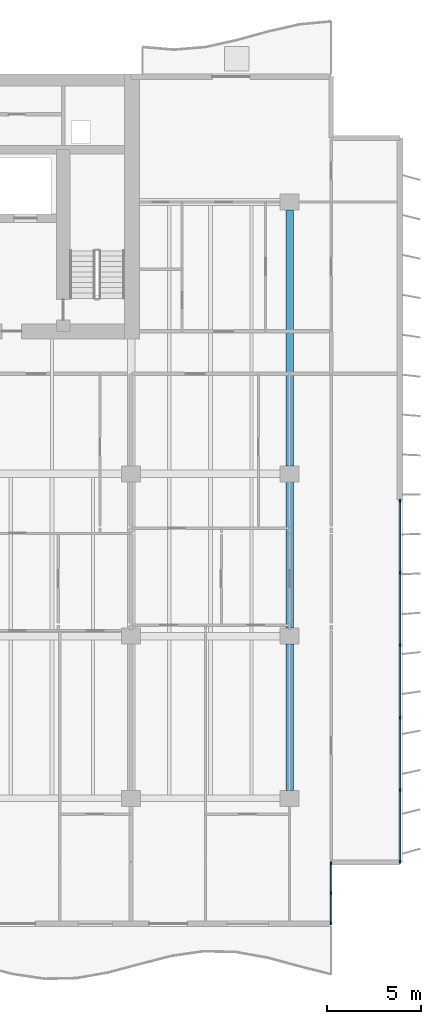
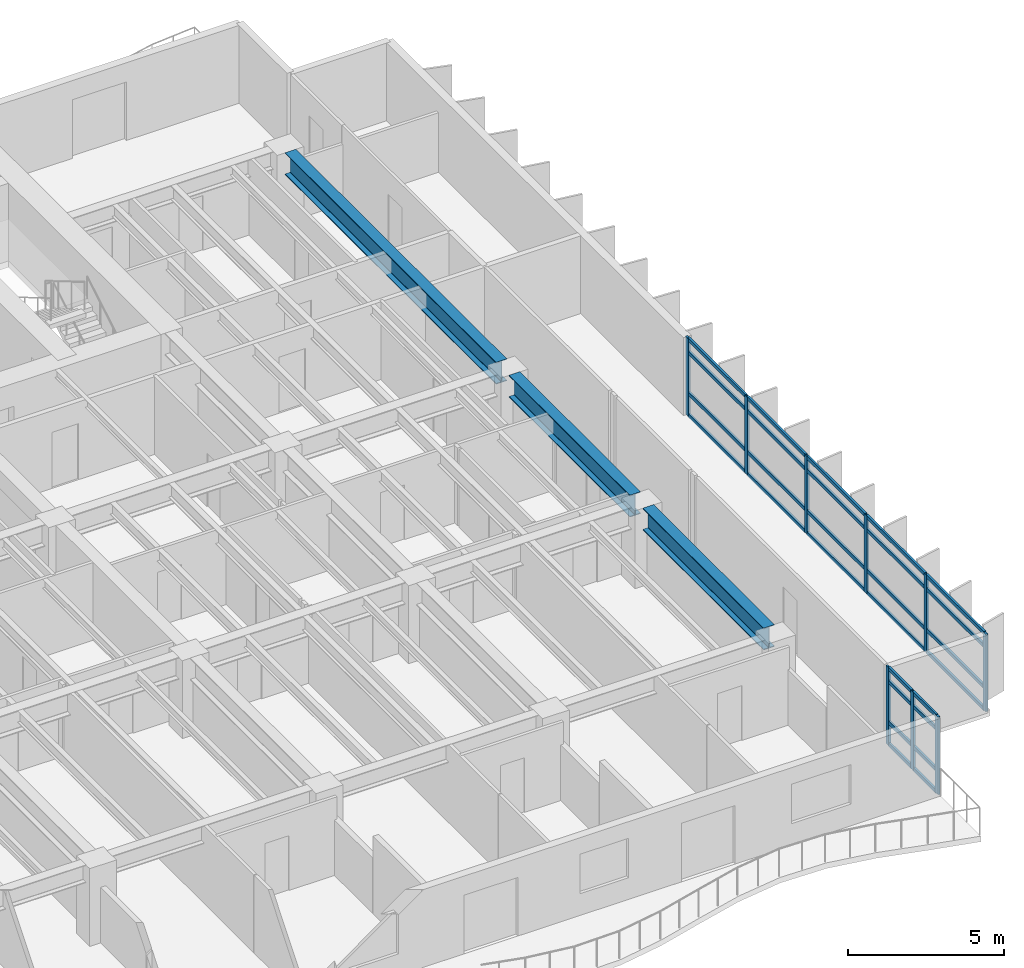
# One storey, part 4 of 18: 37 members, 3 beams, 2 elements without a shape of their own.
"""IFC4 building model written with IfcOpenShell, lengths in metres."""

from ifc_helpers import new_model, si_unit, direction, frame, origin, origin_2d, place, context, subcontext, project, spatial, rectangle, i_section, extrude, material, layer, layer_set, material_profile, profile_set, type_object, element, aggregate, save


model = new_model("IFC4")

# Units and contexts
model_context = context("Model", 3, precision=1e-05, world=origin(), true_north=direction((0.0, 1.0)))
body_context = subcontext(model_context, "Body", "Model", "MODEL_VIEW")
ifc_project = project(units=[si_unit("LENGTHUNIT", "METRE"), si_unit("AREAUNIT", "SQUARE_METRE"), si_unit("VOLUMEUNIT", "CUBIC_METRE"), si_unit("PLANEANGLEUNIT", "RADIAN"), si_unit("MASSUNIT", "GRAM", prefix="KILO")], contexts=[model_context])

# Site, building, storey
site_placement = place(None, origin())
site = spatial("IfcSite", under=ifc_project, at=site_placement, CompositionType="ELEMENT")
building_placement = place(site_placement, origin())
building = spatial("IfcBuilding", under=site, at=building_placement, Name="Caelmar Bay Residences", CompositionType="ELEMENT")
storey_placement = place(building_placement, frame((0.0, 0.0, 122.39990234375)))
storey = spatial("IfcBuildingStorey", under=building, at=storey_placement, Name="L33", CompositionType="ELEMENT", Elevation=122.39990234375)

# Beams
ifc_material_1 = material(Name="Steel ASTM A992 Grade 50", Category="steel")
ifc_material_profile_1 = material_profile(ifc_material_1, i_section(OverallWidth=0.40087890625, OverallDepth=0.861083984375, WebThickness=0.019775390625, FlangeThickness=0.032470703125, FilletRadius=0.017822265625, at=origin_2d()), Name="W33X221")
ifc_profile_set_1 = profile_set([ifc_material_profile_1], Name="Steel ASTM A992 Grade 50")
beam_type = type_object("IfcBeamType", Name="BM-GRD-W33X221", PredefinedType="BEAM", material=ifc_profile_set_1)
for number, where, z_axis, x_axis, name in (
    (1, (67.89990234375, 12.614990234375, 2.61962890625), (0.0, 1.0, 0.0), (-1.0, 0.0, 0.0), "L33 North-South Girder X=67.90 (12.2-20.8)"),
    (2, (67.89990234375, 21.215087890625, 2.61962890625), (0.0, 1.0, 0.0), (-1.0, 0.0, 0.0), "L33 North-South Girder X=67.90 (20.8-29.4)"),
):
    element("IfcBeam", number, at=place(storey_placement, frame(where, z_axis=z_axis, x_axis=x_axis)), inside=storey, type_object=beam_type, Name=name, PredefinedType="BEAM", context=body_context, shape_type="SweptSolid", body=[
        extrude(i_section(OverallWidth=0.40087890625, OverallDepth=0.861083984375, WebThickness=0.019775390625, FlangeThickness=0.032470703125, FilletRadius=0.017822265625, at=origin_2d()), origin(), (0.0, 0.0, 1.0), 7.77001953125),
    ])
beam_placement = place(storey_placement, frame((67.89990234375, 29.81494140625, 2.61962890625), z_axis=(0.0, 1.0, 0.0), x_axis=(-1.0, 0.0, 0.0)))
element("IfcBeam", 3, at=beam_placement, inside=storey, type_object=beam_type, Name="L33 North-South Girder X=67.90 (29.4-43.8)", PredefinedType="BEAM", context=body_context, shape_type="SweptSolid", body=[
    extrude(i_section(OverallWidth=0.40087890625, OverallDepth=0.861083984375, WebThickness=0.019775390625, FlangeThickness=0.032470703125, FilletRadius=0.017822265625, at=origin_2d()), origin(), (0.0, 0.0, 1.0), 13.570068359375),
])

# Curtain wall, members
ifc_material_2 = material(Name="Anodised bronze aluminium 6063-T6 and laminated glass", Category="aluminium")
ifc_layer_1 = layer(ifc_material_2, 0.179931640625)
ifc_layer_set_1 = layer_set([ifc_layer_1], Name="Anodised bronze aluminium 6063-T6 and laminated glass")
curtain_wall_type_1 = type_object("IfcCurtainWallType", Name="CW6-NTC", PredefinedType="NOTDEFINED", material=ifc_layer_set_1)
curtain_wall_1_placement = place(storey_placement, origin())
curtain_wall_1 = element("IfcCurtainWall", 4, at=curtain_wall_1_placement, inside=storey, type_object=curtain_wall_type_1, Name="CW6 curtain wall L33", PredefinedType="NOTDEFINED")
ifc_material_3 = material(Name="Anodised bronze aluminium 6063-T6", Category="aluminium")
ifc_material_profile_2 = material_profile(ifc_material_3, rectangle(XDim=0.080078125, YDim=0.179931640625, at=origin_2d()), Name="CWM-80X180")
ifc_profile_set_2 = profile_set([ifc_material_profile_2], Name="Anodised bronze aluminium 6063-T6")
member_type_1 = type_object("IfcMemberType", Name="CWM-180", PredefinedType="MULLION", material=ifc_profile_set_2)
member_1_placement = place(storey_placement, frame((70.10009765625, 5.590087890625, 0.0), z_axis=(0.0, 0.0, 1.0), x_axis=(-1.0, 0.0, 0.0)))
member_1 = element("IfcMember", 5, at=member_1_placement, type_object=member_type_1, Name="CW6 mullion 1", PredefinedType="MULLION", context=body_context, shape_type="SweptSolid", body=[
    extrude(rectangle(XDim=0.080078125, YDim=0.179931640625, at=origin_2d()), origin(), (0.0, 0.0, 1.0), 3.050048828125),
])
member_2_placement = place(storey_placement, frame((70.10009765625, 7.175048828125, 0.0), z_axis=(0.0, 0.0, 1.0), x_axis=(-1.0, 0.0, 0.0)))
member_2 = element("IfcMember", 6, at=member_2_placement, type_object=member_type_1, Name="CW6 mullion 2", PredefinedType="MULLION", context=body_context, shape_type="SweptSolid", body=[
    extrude(rectangle(XDim=0.080078125, YDim=0.179931640625, at=origin_2d()), origin(), (0.0, 0.0, 1.0), 3.050048828125),
])
member_3_placement = place(storey_placement, frame((70.10009765625, 8.760009765625, 0.0), z_axis=(0.0, 0.0, 1.0), x_axis=(-1.0, 0.0, 0.0)))
member_3 = element("IfcMember", 7, at=member_3_placement, type_object=member_type_1, Name="CW6 mullion 3", PredefinedType="MULLION", context=body_context, shape_type="SweptSolid", body=[
    extrude(rectangle(XDim=0.080078125, YDim=0.179931640625, at=origin_2d()), origin(), (0.0, 0.0, 1.0), 3.050048828125),
])

ifc_layer_2 = layer(ifc_material_2, 0.179931640625)
ifc_layer_set_2 = layer_set([ifc_layer_2], Name="Anodised bronze aluminium 6063-T6 and laminated glass")
curtain_wall_type_2 = type_object("IfcCurtainWallType", Name="CW3-Z2", PredefinedType="NOTDEFINED", material=ifc_layer_set_2)
curtain_wall_2_placement = place(storey_placement, origin())
curtain_wall_2 = element("IfcCurtainWall", 8, at=curtain_wall_2_placement, inside=storey, type_object=curtain_wall_type_2, Name="CW3 curtain wall L33", PredefinedType="NOTDEFINED")
member_4_placement = place(storey_placement, frame((73.75, 27.9599609375, 0.0), z_axis=(0.0, 0.0, 1.0), x_axis=(1.0, 0.0, 0.0)))
member_4 = element("IfcMember", 9, at=member_4_placement, type_object=member_type_1, Name="CW3 mullion 1", PredefinedType="MULLION", context=body_context, shape_type="SweptSolid", body=[
    extrude(rectangle(XDim=0.080078125, YDim=0.179931640625, at=origin_2d()), origin(), (0.0, 0.0, 1.0), 3.050048828125),
])
member_5_placement = place(storey_placement, frame((73.75, 24.159912109375, 0.0), z_axis=(0.0, 0.0, 1.0), x_axis=(1.0, 0.0, 0.0)))
member_5 = element("IfcMember", 10, at=member_5_placement, type_object=member_type_1, Name="CW3 mullion 2", PredefinedType="MULLION", context=body_context, shape_type="SweptSolid", body=[
    extrude(rectangle(XDim=0.080078125, YDim=0.179931640625, at=origin_2d()), origin(), (0.0, 0.0, 1.0), 3.050048828125),
])
member_6_placement = place(storey_placement, frame((73.75, 20.320068359375, 0.0), z_axis=(0.0, 0.0, 1.0), x_axis=(1.0, 0.0, 0.0)))
member_6 = element("IfcMember", 11, at=member_6_placement, type_object=member_type_1, Name="CW3 mullion 3", PredefinedType="MULLION", context=body_context, shape_type="SweptSolid", body=[
    extrude(rectangle(XDim=0.080078125, YDim=0.179931640625, at=origin_2d()), origin(), (0.0, 0.0, 1.0), 3.050048828125),
])
member_7_placement = place(storey_placement, frame((73.75, 16.47998046875, 0.0), z_axis=(0.0, 0.0, 1.0), x_axis=(1.0, 0.0, 0.0)))
member_7 = element("IfcMember", 12, at=member_7_placement, type_object=member_type_1, Name="CW3 mullion 4", PredefinedType="MULLION", context=body_context, shape_type="SweptSolid", body=[
    extrude(rectangle(XDim=0.080078125, YDim=0.179931640625, at=origin_2d()), origin(), (0.0, 0.0, 1.0), 3.050048828125),
])
member_8_placement = place(storey_placement, frame((73.75, 12.639892578125, 0.0), z_axis=(0.0, 0.0, 1.0), x_axis=(1.0, 0.0, 0.0)))
member_8 = element("IfcMember", 13, at=member_8_placement, type_object=member_type_1, Name="CW3 mullion 5", PredefinedType="MULLION", context=body_context, shape_type="SweptSolid", body=[
    extrude(rectangle(XDim=0.080078125, YDim=0.179931640625, at=origin_2d()), origin(), (0.0, 0.0, 1.0), 3.050048828125),
])
member_9_placement = place(storey_placement, frame((73.75, 8.840087890625, 0.0), z_axis=(0.0, 0.0, 1.0), x_axis=(1.0, 0.0, 0.0)))
member_9 = element("IfcMember", 14, at=member_9_placement, type_object=member_type_1, Name="CW3 mullion 6", PredefinedType="MULLION", context=body_context, shape_type="SweptSolid", body=[
    extrude(rectangle(XDim=0.080078125, YDim=0.179931640625, at=origin_2d()), origin(), (0.0, 0.0, 1.0), 3.050048828125),
])

# Member
ifc_material_profile_3 = material_profile(ifc_material_3, rectangle(XDim=0.080078125, YDim=0.139892578125, at=origin_2d()), Name="CWT-80X140")
ifc_profile_set_3 = profile_set([ifc_material_profile_3], Name="Anodised bronze aluminium 6063-T6")
member_type_2 = type_object("IfcMemberType", Name="CWT-140", PredefinedType="NOTDEFINED", material=ifc_profile_set_3)
member_10_placement = place(storey_placement, frame((70.10009765625, 5.6298828125, 0.0400390625), z_axis=(0.0, 1.0, 0.0), x_axis=(-1.0, 0.0, 0.0)))
member_10 = element("IfcMember", 15, at=member_10_placement, type_object=member_type_2, Name="CW6 transom 1.1", ObjectType="TRANSOM", PredefinedType="USERDEFINED", context=body_context, shape_type="SweptSolid", body=[
    extrude(rectangle(XDim=0.080078125, YDim=0.139892578125, at=origin_2d()), origin(), (0.0, 0.0, 1.0), 1.505126953125),
])

member_11_placement = place(storey_placement, frame((70.10009765625, 5.6298828125, 0.900146484375), z_axis=(0.0, 1.0, 0.0), x_axis=(-1.0, 0.0, 0.0)))
member_11 = element("IfcMember", 16, at=member_11_placement, type_object=member_type_2, Name="CW6 transom 1.2", ObjectType="TRANSOM", PredefinedType="USERDEFINED", context=body_context, shape_type="SweptSolid", body=[
    extrude(rectangle(XDim=0.080078125, YDim=0.139892578125, at=origin_2d()), origin(), (0.0, 0.0, 1.0), 1.505126953125),
])

member_12_placement = place(storey_placement, frame((70.10009765625, 5.6298828125, 2.5), z_axis=(0.0, 1.0, 0.0), x_axis=(-1.0, 0.0, 0.0)))
member_12 = element("IfcMember", 17, at=member_12_placement, type_object=member_type_2, Name="CW6 transom 1.3", ObjectType="TRANSOM", PredefinedType="USERDEFINED", context=body_context, shape_type="SweptSolid", body=[
    extrude(rectangle(XDim=0.080078125, YDim=0.139892578125, at=origin_2d()), origin(), (0.0, 0.0, 1.0), 1.505126953125),
])

member_13_placement = place(storey_placement, frame((70.10009765625, 5.6298828125, 3.010009765625), z_axis=(0.0, 1.0, 0.0), x_axis=(-1.0, 0.0, 0.0)))
member_13 = element("IfcMember", 18, at=member_13_placement, type_object=member_type_2, Name="CW6 transom 1.4", ObjectType="TRANSOM", PredefinedType="USERDEFINED", context=body_context, shape_type="SweptSolid", body=[
    extrude(rectangle(XDim=0.080078125, YDim=0.139892578125, at=origin_2d()), origin(), (0.0, 0.0, 1.0), 1.505126953125),
])

member_14_placement = place(storey_placement, frame((70.10009765625, 7.215087890625, 0.0400390625), z_axis=(0.0, 1.0, 0.0), x_axis=(-1.0, 0.0, 0.0)))
member_14 = element("IfcMember", 19, at=member_14_placement, type_object=member_type_2, Name="CW6 transom 2.1", ObjectType="TRANSOM", PredefinedType="USERDEFINED", context=body_context, shape_type="SweptSolid", body=[
    extrude(rectangle(XDim=0.080078125, YDim=0.139892578125, at=origin_2d()), origin(), (0.0, 0.0, 1.0), 1.5048828125),
])

member_15_placement = place(storey_placement, frame((70.10009765625, 7.215087890625, 0.900146484375), z_axis=(0.0, 1.0, 0.0), x_axis=(-1.0, 0.0, 0.0)))
member_15 = element("IfcMember", 20, at=member_15_placement, type_object=member_type_2, Name="CW6 transom 2.2", ObjectType="TRANSOM", PredefinedType="USERDEFINED", context=body_context, shape_type="SweptSolid", body=[
    extrude(rectangle(XDim=0.080078125, YDim=0.139892578125, at=origin_2d()), origin(), (0.0, 0.0, 1.0), 1.5048828125),
])

member_16_placement = place(storey_placement, frame((70.10009765625, 7.215087890625, 2.5), z_axis=(0.0, 1.0, 0.0), x_axis=(-1.0, 0.0, 0.0)))
member_16 = element("IfcMember", 21, at=member_16_placement, type_object=member_type_2, Name="CW6 transom 2.3", ObjectType="TRANSOM", PredefinedType="USERDEFINED", context=body_context, shape_type="SweptSolid", body=[
    extrude(rectangle(XDim=0.080078125, YDim=0.139892578125, at=origin_2d()), origin(), (0.0, 0.0, 1.0), 1.5048828125),
])

member_17_placement = place(storey_placement, frame((70.10009765625, 7.215087890625, 3.010009765625), z_axis=(0.0, 1.0, 0.0), x_axis=(-1.0, 0.0, 0.0)))
member_17 = element("IfcMember", 22, at=member_17_placement, type_object=member_type_2, Name="CW6 transom 2.4", ObjectType="TRANSOM", PredefinedType="USERDEFINED", context=body_context, shape_type="SweptSolid", body=[
    extrude(rectangle(XDim=0.080078125, YDim=0.139892578125, at=origin_2d()), origin(), (0.0, 0.0, 1.0), 1.5048828125),
])

aggregate(curtain_wall_1, [member_1, member_2, member_3, member_10, member_11, member_12, member_13, member_14, member_15, member_16, member_17])

member_18_placement = place(storey_placement, frame((73.75, 27.919921875, 0.0400390625), z_axis=(0.0, -1.0, 0.0), x_axis=(1.0, 0.0, 0.0)))
member_18 = element("IfcMember", 23, at=member_18_placement, type_object=member_type_2, Name="CW3 transom 1.1", ObjectType="TRANSOM", PredefinedType="USERDEFINED", context=body_context, shape_type="SweptSolid", body=[
    extrude(rectangle(XDim=0.080078125, YDim=0.139892578125, at=origin_2d()), origin(), (0.0, 0.0, 1.0), 3.719970703125),
])

member_19_placement = place(storey_placement, frame((73.75, 27.919921875, 0.900146484375), z_axis=(0.0, -1.0, 0.0), x_axis=(1.0, 0.0, 0.0)))
member_19 = element("IfcMember", 24, at=member_19_placement, type_object=member_type_2, Name="CW3 transom 1.2", ObjectType="TRANSOM", PredefinedType="USERDEFINED", context=body_context, shape_type="SweptSolid", body=[
    extrude(rectangle(XDim=0.080078125, YDim=0.139892578125, at=origin_2d()), origin(), (0.0, 0.0, 1.0), 3.719970703125),
])

member_20_placement = place(storey_placement, frame((73.75, 27.919921875, 2.5), z_axis=(0.0, -1.0, 0.0), x_axis=(1.0, 0.0, 0.0)))
member_20 = element("IfcMember", 25, at=member_20_placement, type_object=member_type_2, Name="CW3 transom 1.3", ObjectType="TRANSOM", PredefinedType="USERDEFINED", context=body_context, shape_type="SweptSolid", body=[
    extrude(rectangle(XDim=0.080078125, YDim=0.139892578125, at=origin_2d()), origin(), (0.0, 0.0, 1.0), 3.719970703125),
])

member_21_placement = place(storey_placement, frame((73.75, 27.919921875, 3.010009765625), z_axis=(0.0, -1.0, 0.0), x_axis=(1.0, 0.0, 0.0)))
member_21 = element("IfcMember", 26, at=member_21_placement, type_object=member_type_2, Name="CW3 transom 1.4", ObjectType="TRANSOM", PredefinedType="USERDEFINED", context=body_context, shape_type="SweptSolid", body=[
    extrude(rectangle(XDim=0.080078125, YDim=0.139892578125, at=origin_2d()), origin(), (0.0, 0.0, 1.0), 3.719970703125),
])

member_22_placement = place(storey_placement, frame((73.75, 24.1201171875, 0.0400390625), z_axis=(0.0, -1.0, 0.0), x_axis=(1.0, 0.0, 0.0)))
member_22 = element("IfcMember", 27, at=member_22_placement, type_object=member_type_2, Name="CW3 transom 2.1", ObjectType="TRANSOM", PredefinedType="USERDEFINED", context=body_context, shape_type="SweptSolid", body=[
    extrude(rectangle(XDim=0.080078125, YDim=0.139892578125, at=origin_2d()), origin(), (0.0, 0.0, 1.0), 3.760009765625),
])

member_23_placement = place(storey_placement, frame((73.75, 24.1201171875, 0.900146484375), z_axis=(0.0, -1.0, 0.0), x_axis=(1.0, 0.0, 0.0)))
member_23 = element("IfcMember", 28, at=member_23_placement, type_object=member_type_2, Name="CW3 transom 2.2", ObjectType="TRANSOM", PredefinedType="USERDEFINED", context=body_context, shape_type="SweptSolid", body=[
    extrude(rectangle(XDim=0.080078125, YDim=0.139892578125, at=origin_2d()), origin(), (0.0, 0.0, 1.0), 3.760009765625),
])

member_24_placement = place(storey_placement, frame((73.75, 24.1201171875, 2.5), z_axis=(0.0, -1.0, 0.0), x_axis=(1.0, 0.0, 0.0)))
member_24 = element("IfcMember", 29, at=member_24_placement, type_object=member_type_2, Name="CW3 transom 2.3", ObjectType="TRANSOM", PredefinedType="USERDEFINED", context=body_context, shape_type="SweptSolid", body=[
    extrude(rectangle(XDim=0.080078125, YDim=0.139892578125, at=origin_2d()), origin(), (0.0, 0.0, 1.0), 3.760009765625),
])

member_25_placement = place(storey_placement, frame((73.75, 24.1201171875, 3.010009765625), z_axis=(0.0, -1.0, 0.0), x_axis=(1.0, 0.0, 0.0)))
member_25 = element("IfcMember", 30, at=member_25_placement, type_object=member_type_2, Name="CW3 transom 2.4", ObjectType="TRANSOM", PredefinedType="USERDEFINED", context=body_context, shape_type="SweptSolid", body=[
    extrude(rectangle(XDim=0.080078125, YDim=0.139892578125, at=origin_2d()), origin(), (0.0, 0.0, 1.0), 3.760009765625),
])

member_26_placement = place(storey_placement, frame((73.75, 20.280029296875, 0.0400390625), z_axis=(0.0, -1.0, 0.0), x_axis=(1.0, 0.0, 0.0)))
member_26 = element("IfcMember", 31, at=member_26_placement, type_object=member_type_2, Name="CW3 transom 3.1", ObjectType="TRANSOM", PredefinedType="USERDEFINED", context=body_context, shape_type="SweptSolid", body=[
    extrude(rectangle(XDim=0.080078125, YDim=0.139892578125, at=origin_2d()), origin(), (0.0, 0.0, 1.0), 3.760009765625),
])

member_27_placement = place(storey_placement, frame((73.75, 20.280029296875, 0.900146484375), z_axis=(0.0, -1.0, 0.0), x_axis=(1.0, 0.0, 0.0)))
member_27 = element("IfcMember", 32, at=member_27_placement, type_object=member_type_2, Name="CW3 transom 3.2", ObjectType="TRANSOM", PredefinedType="USERDEFINED", context=body_context, shape_type="SweptSolid", body=[
    extrude(rectangle(XDim=0.080078125, YDim=0.139892578125, at=origin_2d()), origin(), (0.0, 0.0, 1.0), 3.760009765625),
])

member_28_placement = place(storey_placement, frame((73.75, 20.280029296875, 2.5), z_axis=(0.0, -1.0, 0.0), x_axis=(1.0, 0.0, 0.0)))
member_28 = element("IfcMember", 33, at=member_28_placement, type_object=member_type_2, Name="CW3 transom 3.3", ObjectType="TRANSOM", PredefinedType="USERDEFINED", context=body_context, shape_type="SweptSolid", body=[
    extrude(rectangle(XDim=0.080078125, YDim=0.139892578125, at=origin_2d()), origin(), (0.0, 0.0, 1.0), 3.760009765625),
])

member_29_placement = place(storey_placement, frame((73.75, 20.280029296875, 3.010009765625), z_axis=(0.0, -1.0, 0.0), x_axis=(1.0, 0.0, 0.0)))
member_29 = element("IfcMember", 34, at=member_29_placement, type_object=member_type_2, Name="CW3 transom 3.4", ObjectType="TRANSOM", PredefinedType="USERDEFINED", context=body_context, shape_type="SweptSolid", body=[
    extrude(rectangle(XDim=0.080078125, YDim=0.139892578125, at=origin_2d()), origin(), (0.0, 0.0, 1.0), 3.760009765625),
])

member_30_placement = place(storey_placement, frame((73.75, 16.43994140625, 0.0400390625), z_axis=(0.0, -1.0, 0.0), x_axis=(1.0, 0.0, 0.0)))
member_30 = element("IfcMember", 35, at=member_30_placement, type_object=member_type_2, Name="CW3 transom 4.1", ObjectType="TRANSOM", PredefinedType="USERDEFINED", context=body_context, shape_type="SweptSolid", body=[
    extrude(rectangle(XDim=0.080078125, YDim=0.139892578125, at=origin_2d()), origin(), (0.0, 0.0, 1.0), 3.760009765625),
])

member_31_placement = place(storey_placement, frame((73.75, 16.43994140625, 0.900146484375), z_axis=(0.0, -1.0, 0.0), x_axis=(1.0, 0.0, 0.0)))
member_31 = element("IfcMember", 36, at=member_31_placement, type_object=member_type_2, Name="CW3 transom 4.2", ObjectType="TRANSOM", PredefinedType="USERDEFINED", context=body_context, shape_type="SweptSolid", body=[
    extrude(rectangle(XDim=0.080078125, YDim=0.139892578125, at=origin_2d()), origin(), (0.0, 0.0, 1.0), 3.760009765625),
])

member_32_placement = place(storey_placement, frame((73.75, 16.43994140625, 2.5), z_axis=(0.0, -1.0, 0.0), x_axis=(1.0, 0.0, 0.0)))
member_32 = element("IfcMember", 37, at=member_32_placement, type_object=member_type_2, Name="CW3 transom 4.3", ObjectType="TRANSOM", PredefinedType="USERDEFINED", context=body_context, shape_type="SweptSolid", body=[
    extrude(rectangle(XDim=0.080078125, YDim=0.139892578125, at=origin_2d()), origin(), (0.0, 0.0, 1.0), 3.760009765625),
])

member_33_placement = place(storey_placement, frame((73.75, 16.43994140625, 3.010009765625), z_axis=(0.0, -1.0, 0.0), x_axis=(1.0, 0.0, 0.0)))
member_33 = element("IfcMember", 38, at=member_33_placement, type_object=member_type_2, Name="CW3 transom 4.4", ObjectType="TRANSOM", PredefinedType="USERDEFINED", context=body_context, shape_type="SweptSolid", body=[
    extrude(rectangle(XDim=0.080078125, YDim=0.139892578125, at=origin_2d()), origin(), (0.0, 0.0, 1.0), 3.760009765625),
])

member_34_placement = place(storey_placement, frame((73.75, 12.60009765625, 0.0400390625), z_axis=(0.0, -1.0, 0.0), x_axis=(1.0, 0.0, 0.0)))
member_34 = element("IfcMember", 39, at=member_34_placement, type_object=member_type_2, Name="CW3 transom 5.1", ObjectType="TRANSOM", PredefinedType="USERDEFINED", context=body_context, shape_type="SweptSolid", body=[
    extrude(rectangle(XDim=0.080078125, YDim=0.139892578125, at=origin_2d()), origin(), (0.0, 0.0, 1.0), 3.72021484375),
])

member_35_placement = place(storey_placement, frame((73.75, 12.60009765625, 0.900146484375), z_axis=(0.0, -1.0, 0.0), x_axis=(1.0, 0.0, 0.0)))
member_35 = element("IfcMember", 40, at=member_35_placement, type_object=member_type_2, Name="CW3 transom 5.2", ObjectType="TRANSOM", PredefinedType="USERDEFINED", context=body_context, shape_type="SweptSolid", body=[
    extrude(rectangle(XDim=0.080078125, YDim=0.139892578125, at=origin_2d()), origin(), (0.0, 0.0, 1.0), 3.72021484375),
])

member_36_placement = place(storey_placement, frame((73.75, 12.60009765625, 2.5), z_axis=(0.0, -1.0, 0.0), x_axis=(1.0, 0.0, 0.0)))
member_36 = element("IfcMember", 41, at=member_36_placement, type_object=member_type_2, Name="CW3 transom 5.3", ObjectType="TRANSOM", PredefinedType="USERDEFINED", context=body_context, shape_type="SweptSolid", body=[
    extrude(rectangle(XDim=0.080078125, YDim=0.139892578125, at=origin_2d()), origin(), (0.0, 0.0, 1.0), 3.72021484375),
])

member_37_placement = place(storey_placement, frame((73.75, 12.60009765625, 3.010009765625), z_axis=(0.0, -1.0, 0.0), x_axis=(1.0, 0.0, 0.0)))
member_37 = element("IfcMember", 42, at=member_37_placement, type_object=member_type_2, Name="CW3 transom 5.4", ObjectType="TRANSOM", PredefinedType="USERDEFINED", context=body_context, shape_type="SweptSolid", body=[
    extrude(rectangle(XDim=0.080078125, YDim=0.139892578125, at=origin_2d()), origin(), (0.0, 0.0, 1.0), 3.72021484375),
])

aggregate(curtain_wall_2, [member_4, member_5, member_6, member_7, member_8, member_9, member_18, member_19, member_20, member_21, member_22, member_23, member_24, member_25, member_26, member_27, member_28, member_29, member_30, member_31, member_32, member_33, member_34, member_35, member_36, member_37])

save(model, "model.ifc")
